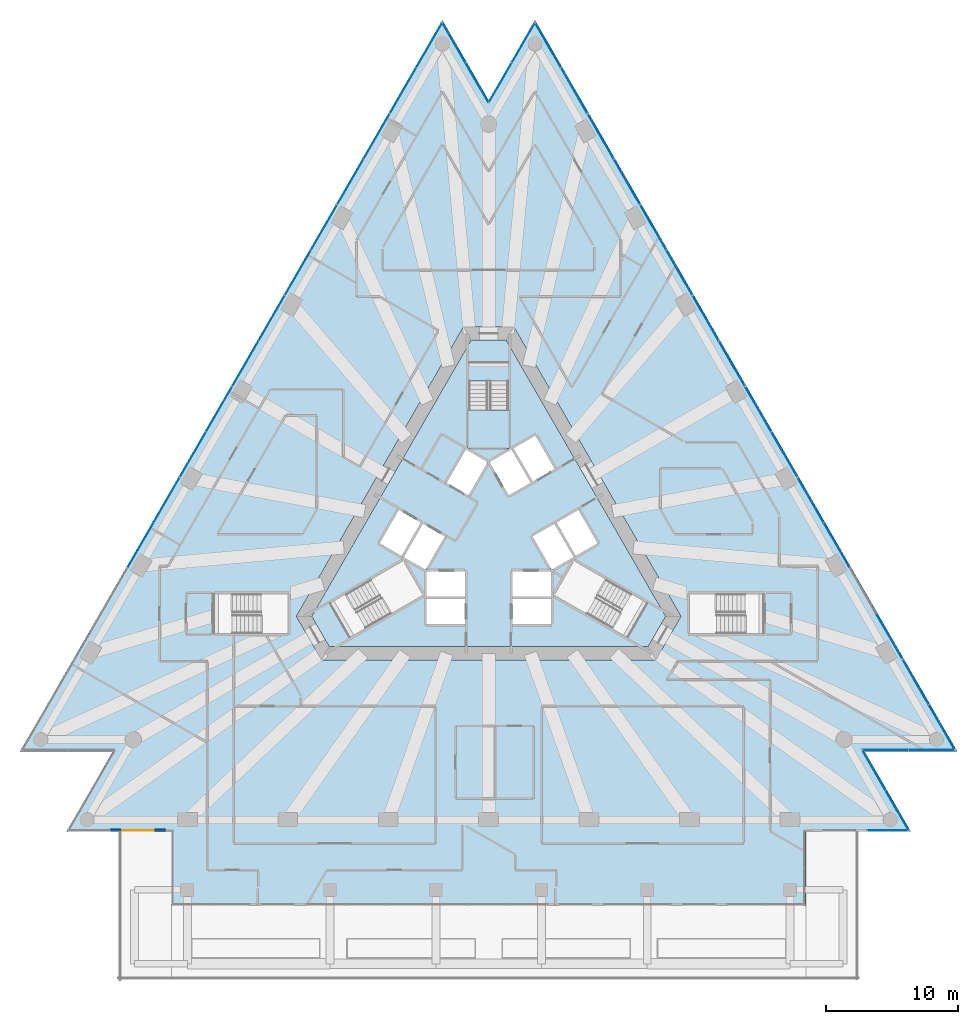
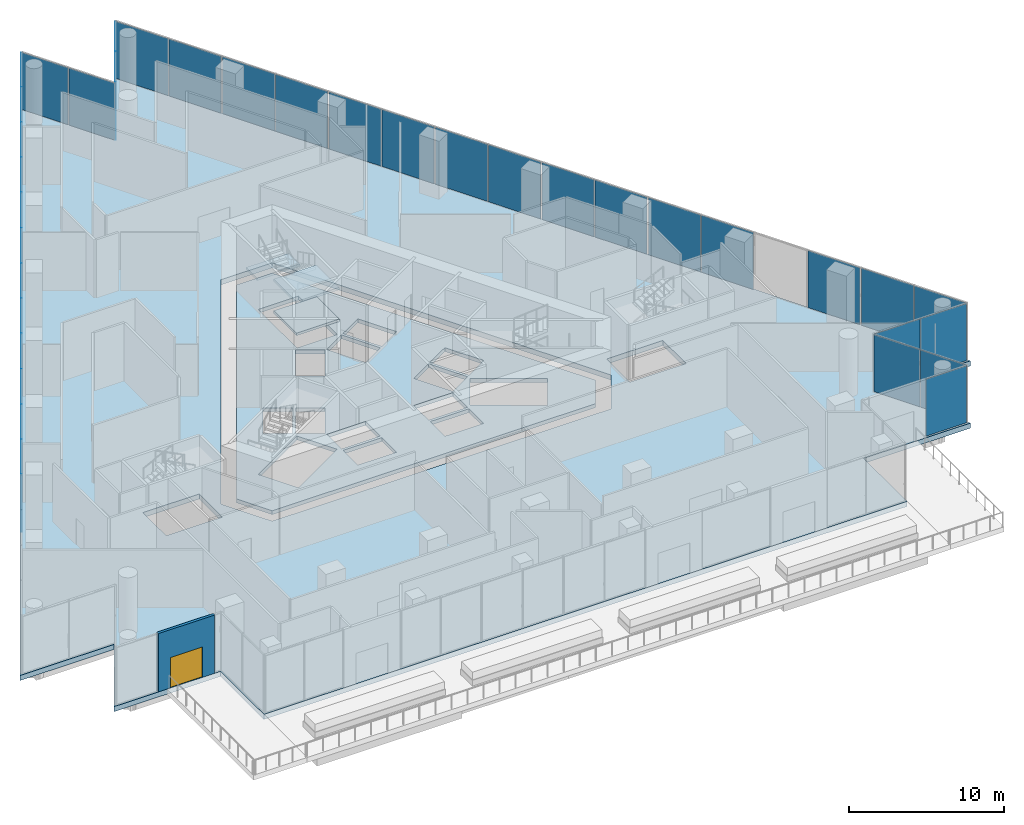
# One storey, part 24 of 32: 36 plates, 5 slabs, 1 door, 1 wall, 1 opening, 20 elements without a shape of their own.
"""IFC4 building model written with IfcOpenShell, lengths in metres."""

from ifc_helpers import new_model, si_unit, direction, frame, frame_2d, origin, origin_2d, place, context, subcontext, project, spatial, polyline, rectangle, outline, extrude, material, layer, layer_set, layer_usage, type_object, element, fill, aggregate, save


model = new_model("IFC4")

# Units and contexts
model_context = context("Model", 3, precision=1e-05, world=origin(), true_north=direction((0.0, 1.0)))
body_context = subcontext(model_context, "Body", "Model", "MODEL_VIEW")
ifc_project = project(units=[si_unit("LENGTHUNIT", "METRE"), si_unit("AREAUNIT", "SQUARE_METRE"), si_unit("VOLUMEUNIT", "CUBIC_METRE"), si_unit("PLANEANGLEUNIT", "RADIAN"), si_unit("MASSUNIT", "GRAM", prefix="KILO")], contexts=[model_context])

# Site, building, storey
site_placement = place(None, origin())
site = spatial("IfcSite", under=ifc_project, at=site_placement, CompositionType="ELEMENT")
building_placement = place(site_placement, origin())
building = spatial("IfcBuilding", under=site, at=building_placement, Name="Triada Interchange Tower", CompositionType="ELEMENT")
storey_placement = place(building_placement, frame((0.0, 0.0, 25.300048828125)))
storey = spatial("IfcBuildingStorey", under=building, at=storey_placement, Name="L04", CompositionType="ELEMENT", Elevation=25.300048828125)

# Slab
ifc_material_1 = material(Name="Concrete C50/60", Category="concrete")
ifc_layer_1 = layer(ifc_material_1, 0.300048828125)
ifc_layer_set_1 = layer_set([ifc_layer_1], Name="Floor slab 300")
slab_type_1 = type_object("IfcSlabType", Name="Floor slab 300", PredefinedType="FLOOR", material=ifc_layer_set_1)
slab_1_placement = place(storey_placement, frame((0.0, 0.0, -0.300048828125)))
element("IfcSlab", 1, at=slab_1_placement, inside=storey, type_object=slab_type_1, Name="Core floor slab L04 1", PredefinedType="FLOOR", context=body_context, shape_type="SweptSolid", body=[
    extrude(outline(polyline([(13.39501953125, -6.199951171875), (12.06689453125, -8.5), (-12.06689453125, -8.5), (-13.39501953125, -6.199951171875), (-1.327880859375, 14.699951171875), (1.327880859375, 14.699951171875), (13.39501953125, -6.199951171875)]), holes=[polyline([(9.2958984375, -7.09912109375), (10.7958984375, -4.5009765625), (6.466064453125, -2.0009765625), (4.966064453125, -4.59912109375), (9.2958984375, -7.09912109375)]), polyline([(6.7890625, 1.841064453125), (5.14404296875, 0.89111328125), (6.593994140625, -1.6201171875), (8.239013671875, -0.669921875), (6.7890625, 1.841064453125)]), polyline([(4.969970703125, 0.791015625), (3.324951171875, -0.158935546875), (4.77490234375, -2.669921875), (6.419921875, -1.719970703125), (4.969970703125, 0.791015625)]), polyline([(1.89404296875, 6.52001953125), (3.343994140625, 4.009033203125), (4.989013671875, 4.958984375), (3.5390625, 7.469970703125), (1.89404296875, 6.52001953125)]), polyline([(1.800048828125, -4.89990234375), (1.800048828125, -6.800048828125), (4.699951171875, -6.800048828125), (4.699951171875, -4.89990234375), (1.800048828125, -4.89990234375)]), polyline([(1.800048828125, -2.800048828125), (1.800048828125, -4.10107421875), (1.800048828125, -4.699951171875), (4.699951171875, -4.699951171875), (4.699951171875, -2.800048828125), (1.800048828125, -2.800048828125)]), polyline([(1.52490234375, 2.958984375), (1.708984375, 3.06494140625), (3.169921875, 3.908935546875), (1.719970703125, 6.419921875), (0.074951171875, 5.469970703125), (1.52490234375, 2.958984375)]), polyline([(1.5, 11.60009765625), (-1.5, 11.60009765625), (-1.5, 6.60009765625), (1.5, 6.60009765625), (1.5, 11.60009765625)]), polyline([(-1.52490234375, 2.958984375), (-0.074951171875, 5.469970703125), (-1.719970703125, 6.419921875), (-3.169921875, 3.908935546875), (-1.52490234375, 2.958984375)]), polyline([(-4.699951171875, -2.800048828125), (-4.699951171875, -4.699951171875), (-1.800048828125, -4.699951171875), (-1.800048828125, -4.10107421875), (-1.800048828125, -2.800048828125), (-4.699951171875, -2.800048828125)]), polyline([(-4.699951171875, -4.89990234375), (-4.699951171875, -6.800048828125), (-1.800048828125, -6.800048828125), (-1.800048828125, -4.89990234375), (-4.699951171875, -4.89990234375)]), polyline([(-3.324951171875, -0.158935546875), (-3.450927734375, -0.0859375), (-4.969970703125, 0.791015625), (-6.419921875, -1.719970703125), (-4.77490234375, -2.669921875), (-3.324951171875, -0.158935546875)]), polyline([(-10.7958984375, -4.5009765625), (-9.2958984375, -7.09912109375), (-4.966064453125, -4.59912109375), (-6.466064453125, -2.0009765625), (-10.7958984375, -4.5009765625)]), polyline([(-6.593994140625, -1.6201171875), (-5.14404296875, 0.89111328125), (-6.7890625, 1.841064453125), (-8.239013671875, -0.669921875), (-6.593994140625, -1.6201171875)])]), origin(), (0.0, 0.0, 1.0), 0.300048828125),
])

# Curtain wall, plate
ifc_material_2 = material(Name="Aluminium framed glazing", Category="aluminium")
ifc_layer_2 = layer(ifc_material_2, 0.199951171875)
ifc_layer_set_2 = layer_set([ifc_layer_2], Name="Curtain wall Winter garden glazing")
curtain_wall_type = type_object("IfcCurtainWallType", Name="Curtain wall Winter garden glazing", PredefinedType="NOTDEFINED", material=ifc_layer_set_2)
curtain_wall_1_placement = place(storey_placement, origin())
curtain_wall_1 = element("IfcCurtainWall", 2, at=curtain_wall_1_placement, inside=storey, type_object=curtain_wall_type, Name="Winter garden glazing CW009 L04", PredefinedType="NOTDEFINED")
ifc_material_3 = material(Name="Insulated glazing unit", Category="glass")
ifc_layer_3 = layer(ifc_material_3, 0.02392578125)
ifc_layer_set_3 = layer_set([ifc_layer_3], Name="Glazing panel Winter garden glazing 24")
plate_type = type_object("IfcPlateType", Name="Glazing panel Winter garden glazing 24", PredefinedType="CURTAIN_PANEL", material=ifc_layer_set_3)
plate_1_placement = place(storey_placement, frame((30.21240234375, -22.39990234375, 0.050048828125), z_axis=(0.0, 0.0, 1.0), x_axis=(1.0, 0.0, 0.0)))
plate_1 = element("IfcPlate", 3, at=plate_1_placement, type_object=plate_type, Name="CW009 panel 1.1", PredefinedType="CURTAIN_PANEL", context=body_context, shape_type="SweptSolid", body=[
    extrude(rectangle(XDim=3.041015625, YDim=0.02392578125, at=origin_2d()), origin(), (0.0, 0.0, 1.0), 4.5),
])
aggregate(curtain_wall_1, [plate_1])

# Curtain wall, plates
curtain_wall_2_placement = place(storey_placement, origin())
curtain_wall_2 = element("IfcCurtainWall", 4, at=curtain_wall_2_placement, inside=storey, type_object=curtain_wall_type, Name="Winter garden glazing CW010 L04", PredefinedType="NOTDEFINED")
plate_2_placement = place(storey_placement, frame((30.89990234375, -20.870361328125, 0.050048828125), z_axis=(0.0, 0.0, 1.0), x_axis=(-0.499956922962, 0.866050272896, 0.0)))
plate_2 = element("IfcPlate", 5, at=plate_2_placement, type_object=plate_type, Name="CW010 panel 1.1", PredefinedType="CURTAIN_PANEL", context=body_context, shape_type="SweptSolid", body=[
    extrude(rectangle(XDim=3.432373046875, YDim=0.02392578125, at=origin_2d()), origin(), (0.0, 0.0, 1.0), 4.5),
])
plate_3_placement = place(storey_placement, frame((29.158935546875, -17.8544921875, 0.050048828125), z_axis=(0.0, 0.0, 1.0), x_axis=(-0.499956922962, 0.866050272896, 0.0)))
plate_3 = element("IfcPlate", 6, at=plate_3_placement, type_object=plate_type, Name="CW010 panel 2.1", PredefinedType="CURTAIN_PANEL", context=body_context, shape_type="SweptSolid", body=[
    extrude(rectangle(XDim=3.432373046875, YDim=0.02392578125, at=origin_2d()), origin(), (0.0, 0.0, 1.0), 4.5),
])
aggregate(curtain_wall_2, [plate_2, plate_3])

curtain_wall_3_placement = place(storey_placement, origin())
curtain_wall_3 = element("IfcCurtainWall", 7, at=curtain_wall_3_placement, inside=storey, type_object=curtain_wall_type, Name="Winter garden glazing CW011 L04", PredefinedType="NOTDEFINED")
plate_4_placement = place(storey_placement, frame((30.042236328125, -16.324951171875, 0.050048828125), z_axis=(0.0, 0.0, 1.0), x_axis=(1.0, 0.0, 0.0)))
plate_4 = element("IfcPlate", 8, at=plate_4_placement, type_object=plate_type, Name="CW011 panel 1.1", PredefinedType="CURTAIN_PANEL", context=body_context, shape_type="SweptSolid", body=[
    extrude(rectangle(XDim=3.4326171875, YDim=0.02392578125, at=origin_2d()), origin(), (0.0, 0.0, 1.0), 4.5),
])
plate_5_placement = place(storey_placement, frame((33.524658203125, -16.324951171875, 0.050048828125), z_axis=(0.0, 0.0, 1.0), x_axis=(1.0, 0.0, 0.0)))
plate_5 = element("IfcPlate", 9, at=plate_5_placement, type_object=plate_type, Name="CW011 panel 2.1", PredefinedType="CURTAIN_PANEL", context=body_context, shape_type="SweptSolid", body=[
    extrude(rectangle(XDim=3.4326171875, YDim=0.02392578125, at=origin_2d()), origin(), (0.0, 0.0, 1.0), 4.5),
])
aggregate(curtain_wall_3, [plate_4, plate_5])

curtain_wall_4_placement = place(storey_placement, origin())
curtain_wall_4 = element("IfcCurtainWall", 10, at=curtain_wall_4_placement, inside=storey, type_object=curtain_wall_type, Name="Winter garden glazing CW012 L04", PredefinedType="NOTDEFINED")
plate_6_placement = place(storey_placement, frame((34.292236328125, -14.594970703125, 0.050048828125), z_axis=(0.0, 0.0, 1.0), x_axis=(-0.499958648825, 0.86604927658, 0.0)))
plate_6 = element("IfcPlate", 11, at=plate_6_placement, type_object=plate_type, Name="CW012 panel 1.1", PredefinedType="CURTAIN_PANEL", context=body_context, shape_type="SweptSolid", body=[
    extrude(rectangle(XDim=3.895263671875, YDim=0.02392578125, at=origin_2d()), origin(), (0.0, 0.0, 1.0), 4.5),
])
plate_7_placement = place(storey_placement, frame((32.31982421875, -11.177978515625, 0.050048828125), z_axis=(0.0, 0.0, 1.0), x_axis=(-0.499958648825, 0.86604927658, 0.0)))
plate_7 = element("IfcPlate", 12, at=plate_7_placement, type_object=plate_type, Name="CW012 panel 2.1", PredefinedType="CURTAIN_PANEL", context=body_context, shape_type="SweptSolid", body=[
    extrude(rectangle(XDim=3.895263671875, YDim=0.02392578125, at=origin_2d()), origin(), (0.0, 0.0, 1.0), 4.5),
])
aggregate(curtain_wall_4, [plate_6, plate_7])

# Curtain wall, plate
curtain_wall_5_placement = place(storey_placement, origin())
curtain_wall_5 = element("IfcCurtainWall", 13, at=curtain_wall_5_placement, inside=storey, type_object=curtain_wall_type, Name="Winter garden glazing CW013 L04", PredefinedType="NOTDEFINED")
plate_8_placement = place(storey_placement, frame((30.31689453125, -7.710205078125, 0.050048828125), z_axis=(0.0, 0.0, 1.0), x_axis=(-0.499947913852, 0.866055473648, 0.0)))
plate_8 = element("IfcPlate", 14, at=plate_8_placement, type_object=plate_type, Name="CW013 panel 1.1", PredefinedType="CURTAIN_PANEL", context=body_context, shape_type="SweptSolid", body=[
    extrude(rectangle(XDim=3.892333984375, YDim=0.02392578125, at=origin_2d()), origin(), (0.0, 0.0, 1.0), 4.5),
])
aggregate(curtain_wall_5, [plate_8])

# Curtain wall, plates
curtain_wall_6_placement = place(storey_placement, origin())
curtain_wall_6 = element("IfcCurtainWall", 15, at=curtain_wall_6_placement, inside=storey, type_object=curtain_wall_type, Name="Winter garden glazing CW014 L04", PredefinedType="NOTDEFINED")
plate_9_placement = place(storey_placement, frame((26.343994140625, -0.8291015625, 0.050048828125), z_axis=(0.0, 0.0, 1.0), x_axis=(-0.499947913852, 0.866055473648, 0.0)))
plate_9 = element("IfcPlate", 16, at=plate_9_placement, type_object=plate_type, Name="CW014 panel 1.1", PredefinedType="CURTAIN_PANEL", context=body_context, shape_type="SweptSolid", body=[
    extrude(rectangle(XDim=3.892333984375, YDim=0.02392578125, at=origin_2d()), origin(), (0.0, 0.0, 1.0), 4.5),
])
plate_10_placement = place(storey_placement, frame((24.373046875, 2.585205078125, 0.050048828125), z_axis=(0.0, 0.0, 1.0), x_axis=(-0.499947913852, 0.866055473648, 0.0)))
plate_10 = element("IfcPlate", 17, at=plate_10_placement, type_object=plate_type, Name="CW014 panel 2.1", PredefinedType="CURTAIN_PANEL", context=body_context, shape_type="SweptSolid", body=[
    extrude(rectangle(XDim=3.892333984375, YDim=0.02392578125, at=origin_2d()), origin(), (0.0, 0.0, 1.0), 4.5),
])
aggregate(curtain_wall_6, [plate_9, plate_10])

curtain_wall_7_placement = place(storey_placement, origin())
curtain_wall_7 = element("IfcCurtainWall", 18, at=curtain_wall_7_placement, inside=storey, type_object=curtain_wall_type, Name="Winter garden glazing CW015 L04", PredefinedType="NOTDEFINED")
plate_11_placement = place(storey_placement, frame((22.37109375, 6.052001953125, 0.050048828125), z_axis=(0.0, 0.0, 1.0), x_axis=(-0.499893351442, 0.866086968603, 0.0)))
plate_11 = element("IfcPlate", 19, at=plate_11_placement, type_object=plate_type, Name="CW015 panel 1.1", PredefinedType="CURTAIN_PANEL", context=body_context, shape_type="SweptSolid", body=[
    extrude(rectangle(XDim=3.892822265625, YDim=0.02392578125, at=origin_2d()), origin(), (0.0, 0.0, 1.0), 4.5),
])
plate_12_placement = place(storey_placement, frame((20.39990234375, 9.467041015625, 0.050048828125), z_axis=(0.0, 0.0, 1.0), x_axis=(-0.499893351442, 0.866086968603, 0.0)))
plate_12 = element("IfcPlate", 20, at=plate_12_placement, type_object=plate_type, Name="CW015 panel 2.1", PredefinedType="CURTAIN_PANEL", context=body_context, shape_type="SweptSolid", body=[
    extrude(rectangle(XDim=3.892822265625, YDim=0.02392578125, at=origin_2d()), origin(), (0.0, 0.0, 1.0), 4.5),
])
aggregate(curtain_wall_7, [plate_11, plate_12])

curtain_wall_8_placement = place(storey_placement, origin())
curtain_wall_8 = element("IfcCurtainWall", 21, at=curtain_wall_8_placement, inside=storey, type_object=curtain_wall_type, Name="Winter garden glazing CW016 L04", PredefinedType="NOTDEFINED")
plate_13_placement = place(storey_placement, frame((18.39794921875, 12.93310546875, 0.050048828125), z_axis=(0.0, 0.0, 1.0), x_axis=(-0.499893351442, 0.866086968603, 0.0)))
plate_13 = element("IfcPlate", 22, at=plate_13_placement, type_object=plate_type, Name="CW016 panel 1.1", PredefinedType="CURTAIN_PANEL", context=body_context, shape_type="SweptSolid", body=[
    extrude(rectangle(XDim=3.892822265625, YDim=0.02392578125, at=origin_2d()), origin(), (0.0, 0.0, 1.0), 4.5),
])
plate_14_placement = place(storey_placement, frame((16.427001953125, 16.347900390625, 0.050048828125), z_axis=(0.0, 0.0, 1.0), x_axis=(-0.499893351442, 0.866086968603, 0.0)))
plate_14 = element("IfcPlate", 23, at=plate_14_placement, type_object=plate_type, Name="CW016 panel 2.1", PredefinedType="CURTAIN_PANEL", context=body_context, shape_type="SweptSolid", body=[
    extrude(rectangle(XDim=3.892822265625, YDim=0.02392578125, at=origin_2d()), origin(), (0.0, 0.0, 1.0), 4.5),
])
aggregate(curtain_wall_8, [plate_13, plate_14])

curtain_wall_9_placement = place(storey_placement, origin())
curtain_wall_9 = element("IfcCurtainWall", 24, at=curtain_wall_9_placement, inside=storey, type_object=curtain_wall_type, Name="Winter garden glazing CW017 L04", PredefinedType="NOTDEFINED")
plate_15_placement = place(storey_placement, frame((14.425048828125, 19.81494140625, 0.050048828125), z_axis=(0.0, 0.0, 1.0), x_axis=(-0.499947913852, 0.866055473648, 0.0)))
plate_15 = element("IfcPlate", 25, at=plate_15_placement, type_object=plate_type, Name="CW017 panel 1.1", PredefinedType="CURTAIN_PANEL", context=body_context, shape_type="SweptSolid", body=[
    extrude(rectangle(XDim=3.892333984375, YDim=0.02392578125, at=origin_2d()), origin(), (0.0, 0.0, 1.0), 4.5),
])
plate_16_placement = place(storey_placement, frame((12.4541015625, 23.229248046875, 0.050048828125), z_axis=(0.0, 0.0, 1.0), x_axis=(-0.499947913852, 0.866055473648, 0.0)))
plate_16 = element("IfcPlate", 26, at=plate_16_placement, type_object=plate_type, Name="CW017 panel 2.1", PredefinedType="CURTAIN_PANEL", context=body_context, shape_type="SweptSolid", body=[
    extrude(rectangle(XDim=3.892333984375, YDim=0.02392578125, at=origin_2d()), origin(), (0.0, 0.0, 1.0), 4.5),
])
aggregate(curtain_wall_9, [plate_15, plate_16])

curtain_wall_10_placement = place(storey_placement, origin())
curtain_wall_10 = element("IfcCurtainWall", 27, at=curtain_wall_10_placement, inside=storey, type_object=curtain_wall_type, Name="Winter garden glazing CW018 L04", PredefinedType="NOTDEFINED")
plate_17_placement = place(storey_placement, frame((10.451904296875, 26.69580078125, 0.050048828125), z_axis=(0.0, 0.0, 1.0), x_axis=(-0.499947913852, 0.866055473648, 0.0)))
plate_17 = element("IfcPlate", 28, at=plate_17_placement, type_object=plate_type, Name="CW018 panel 1.1", PredefinedType="CURTAIN_PANEL", context=body_context, shape_type="SweptSolid", body=[
    extrude(rectangle(XDim=3.892333984375, YDim=0.02392578125, at=origin_2d()), origin(), (0.0, 0.0, 1.0), 4.5),
])
plate_18_placement = place(storey_placement, frame((8.48095703125, 30.110107421875, 0.050048828125), z_axis=(0.0, 0.0, 1.0), x_axis=(-0.499947913852, 0.866055473648, 0.0)))
plate_18 = element("IfcPlate", 29, at=plate_18_placement, type_object=plate_type, Name="CW018 panel 2.1", PredefinedType="CURTAIN_PANEL", context=body_context, shape_type="SweptSolid", body=[
    extrude(rectangle(XDim=3.892333984375, YDim=0.02392578125, at=origin_2d()), origin(), (0.0, 0.0, 1.0), 4.5),
])
aggregate(curtain_wall_10, [plate_17, plate_18])

curtain_wall_11_placement = place(storey_placement, origin())
curtain_wall_11 = element("IfcCurtainWall", 30, at=curtain_wall_11_placement, inside=storey, type_object=curtain_wall_type, Name="Winter garden glazing CW019 L04", PredefinedType="NOTDEFINED")
plate_19_placement = place(storey_placement, frame((6.478271484375, 33.578125, 0.050048828125), z_axis=(0.0, 0.0, 1.0), x_axis=(-0.499958648825, 0.86604927658, 0.0)))
plate_19 = element("IfcPlate", 31, at=plate_19_placement, type_object=plate_type, Name="CW019 panel 1.1", PredefinedType="CURTAIN_PANEL", context=body_context, shape_type="SweptSolid", body=[
    extrude(rectangle(XDim=3.895263671875, YDim=0.02392578125, at=origin_2d()), origin(), (0.0, 0.0, 1.0), 4.5),
])
plate_20_placement = place(storey_placement, frame((4.505859375, 36.994873046875, 0.050048828125), z_axis=(0.0, 0.0, 1.0), x_axis=(-0.499958648825, 0.86604927658, 0.0)))
plate_20 = element("IfcPlate", 32, at=plate_20_placement, type_object=plate_type, Name="CW019 panel 2.1", PredefinedType="CURTAIN_PANEL", context=body_context, shape_type="SweptSolid", body=[
    extrude(rectangle(XDim=3.895263671875, YDim=0.02392578125, at=origin_2d()), origin(), (0.0, 0.0, 1.0), 4.5),
])
aggregate(curtain_wall_11, [plate_19, plate_20])

curtain_wall_12_placement = place(storey_placement, origin())
curtain_wall_12 = element("IfcCurtainWall", 33, at=curtain_wall_12_placement, inside=storey, type_object=curtain_wall_type, Name="Winter garden glazing CW020 L04", PredefinedType="NOTDEFINED")
plate_21_placement = place(storey_placement, frame((2.6240234375, 37.1953125, 0.050048828125), z_axis=(0.0, 0.0, 1.0), x_axis=(-0.499956922962, -0.866050272896, 0.0)))
plate_21 = element("IfcPlate", 34, at=plate_21_placement, type_object=plate_type, Name="CW020 panel 1.1", PredefinedType="CURTAIN_PANEL", context=body_context, shape_type="SweptSolid", body=[
    extrude(rectangle(XDim=3.432373046875, YDim=0.02392578125, at=origin_2d()), origin(), (0.0, 0.0, 1.0), 4.5),
])
plate_22_placement = place(storey_placement, frame((0.883056640625, 34.1796875, 0.050048828125), z_axis=(0.0, 0.0, 1.0), x_axis=(-0.499956922962, -0.866050272896, 0.0)))
plate_22 = element("IfcPlate", 35, at=plate_22_placement, type_object=plate_type, Name="CW020 panel 2.1", PredefinedType="CURTAIN_PANEL", context=body_context, shape_type="SweptSolid", body=[
    extrude(rectangle(XDim=3.432373046875, YDim=0.02392578125, at=origin_2d()), origin(), (0.0, 0.0, 1.0), 4.5),
])
aggregate(curtain_wall_12, [plate_21, plate_22])

curtain_wall_13_placement = place(storey_placement, origin())
curtain_wall_13 = element("IfcCurtainWall", 36, at=curtain_wall_13_placement, inside=storey, type_object=curtain_wall_type, Name="Winter garden glazing CW021 L04", PredefinedType="NOTDEFINED")
plate_23_placement = place(storey_placement, frame((-0.883056640625, 34.1796875, 0.050048828125), z_axis=(0.0, 0.0, 1.0), x_axis=(-0.499956922962, 0.866050272896, 0.0)))
plate_23 = element("IfcPlate", 37, at=plate_23_placement, type_object=plate_type, Name="CW021 panel 1.1", PredefinedType="CURTAIN_PANEL", context=body_context, shape_type="SweptSolid", body=[
    extrude(rectangle(XDim=3.432373046875, YDim=0.02392578125, at=origin_2d()), origin(), (0.0, 0.0, 1.0), 4.5),
])
plate_24_placement = place(storey_placement, frame((-2.6240234375, 37.1953125, 0.050048828125), z_axis=(0.0, 0.0, 1.0), x_axis=(-0.499956922962, 0.866050272896, 0.0)))
plate_24 = element("IfcPlate", 38, at=plate_24_placement, type_object=plate_type, Name="CW021 panel 2.1", PredefinedType="CURTAIN_PANEL", context=body_context, shape_type="SweptSolid", body=[
    extrude(rectangle(XDim=3.432373046875, YDim=0.02392578125, at=origin_2d()), origin(), (0.0, 0.0, 1.0), 4.5),
])
aggregate(curtain_wall_13, [plate_23, plate_24])

curtain_wall_14_placement = place(storey_placement, origin())
curtain_wall_14 = element("IfcCurtainWall", 39, at=curtain_wall_14_placement, inside=storey, type_object=curtain_wall_type, Name="Winter garden glazing CW022 L04", PredefinedType="NOTDEFINED")
plate_25_placement = place(storey_placement, frame((-4.505859375, 36.994873046875, 0.050048828125), z_axis=(0.0, 0.0, 1.0), x_axis=(-0.499958648825, -0.86604927658, 0.0)))
plate_25 = element("IfcPlate", 40, at=plate_25_placement, type_object=plate_type, Name="CW022 panel 1.1", PredefinedType="CURTAIN_PANEL", context=body_context, shape_type="SweptSolid", body=[
    extrude(rectangle(XDim=3.895263671875, YDim=0.02392578125, at=origin_2d()), origin(), (0.0, 0.0, 1.0), 4.5),
])
plate_26_placement = place(storey_placement, frame((-6.478271484375, 33.578125, 0.050048828125), z_axis=(0.0, 0.0, 1.0), x_axis=(-0.499958648825, -0.86604927658, 0.0)))
plate_26 = element("IfcPlate", 41, at=plate_26_placement, type_object=plate_type, Name="CW022 panel 2.1", PredefinedType="CURTAIN_PANEL", context=body_context, shape_type="SweptSolid", body=[
    extrude(rectangle(XDim=3.895263671875, YDim=0.02392578125, at=origin_2d()), origin(), (0.0, 0.0, 1.0), 4.5),
])
aggregate(curtain_wall_14, [plate_25, plate_26])

curtain_wall_15_placement = place(storey_placement, origin())
curtain_wall_15 = element("IfcCurtainWall", 42, at=curtain_wall_15_placement, inside=storey, type_object=curtain_wall_type, Name="Winter garden glazing CW023 L04", PredefinedType="NOTDEFINED")
plate_27_placement = place(storey_placement, frame((-8.48095703125, 30.110107421875, 0.050048828125), z_axis=(0.0, 0.0, 1.0), x_axis=(-0.499947913852, -0.866055473648, 0.0)))
plate_27 = element("IfcPlate", 43, at=plate_27_placement, type_object=plate_type, Name="CW023 panel 1.1", PredefinedType="CURTAIN_PANEL", context=body_context, shape_type="SweptSolid", body=[
    extrude(rectangle(XDim=3.892333984375, YDim=0.02392578125, at=origin_2d()), origin(), (0.0, 0.0, 1.0), 4.5),
])
plate_28_placement = place(storey_placement, frame((-10.451904296875, 26.69580078125, 0.050048828125), z_axis=(0.0, 0.0, 1.0), x_axis=(-0.499947913852, -0.866055473648, 0.0)))
plate_28 = element("IfcPlate", 44, at=plate_28_placement, type_object=plate_type, Name="CW023 panel 2.1", PredefinedType="CURTAIN_PANEL", context=body_context, shape_type="SweptSolid", body=[
    extrude(rectangle(XDim=3.892333984375, YDim=0.02392578125, at=origin_2d()), origin(), (0.0, 0.0, 1.0), 4.5),
])
aggregate(curtain_wall_15, [plate_27, plate_28])

curtain_wall_16_placement = place(storey_placement, origin())
curtain_wall_16 = element("IfcCurtainWall", 45, at=curtain_wall_16_placement, inside=storey, type_object=curtain_wall_type, Name="Winter garden glazing CW024 L04", PredefinedType="NOTDEFINED")
plate_29_placement = place(storey_placement, frame((-12.4541015625, 23.229248046875, 0.050048828125), z_axis=(0.0, 0.0, 1.0), x_axis=(-0.499947913852, -0.866055473648, 0.0)))
plate_29 = element("IfcPlate", 46, at=plate_29_placement, type_object=plate_type, Name="CW024 panel 1.1", PredefinedType="CURTAIN_PANEL", context=body_context, shape_type="SweptSolid", body=[
    extrude(rectangle(XDim=3.892333984375, YDim=0.02392578125, at=origin_2d()), origin(), (0.0, 0.0, 1.0), 4.5),
])
plate_30_placement = place(storey_placement, frame((-14.425048828125, 19.81494140625, 0.050048828125), z_axis=(0.0, 0.0, 1.0), x_axis=(-0.499947913852, -0.866055473648, 0.0)))
plate_30 = element("IfcPlate", 47, at=plate_30_placement, type_object=plate_type, Name="CW024 panel 2.1", PredefinedType="CURTAIN_PANEL", context=body_context, shape_type="SweptSolid", body=[
    extrude(rectangle(XDim=3.892333984375, YDim=0.02392578125, at=origin_2d()), origin(), (0.0, 0.0, 1.0), 4.5),
])
aggregate(curtain_wall_16, [plate_29, plate_30])

curtain_wall_17_placement = place(storey_placement, origin())
curtain_wall_17 = element("IfcCurtainWall", 48, at=curtain_wall_17_placement, inside=storey, type_object=curtain_wall_type, Name="Winter garden glazing CW025 L04", PredefinedType="NOTDEFINED")
plate_31_placement = place(storey_placement, frame((-16.427001953125, 16.347900390625, 0.050048828125), z_axis=(0.0, 0.0, 1.0), x_axis=(-0.499893351442, -0.866086968603, 0.0)))
plate_31 = element("IfcPlate", 49, at=plate_31_placement, type_object=plate_type, Name="CW025 panel 1.1", PredefinedType="CURTAIN_PANEL", context=body_context, shape_type="SweptSolid", body=[
    extrude(rectangle(XDim=3.892822265625, YDim=0.02392578125, at=origin_2d()), origin(), (0.0, 0.0, 1.0), 4.5),
])
plate_32_placement = place(storey_placement, frame((-18.39794921875, 12.93310546875, 0.050048828125), z_axis=(0.0, 0.0, 1.0), x_axis=(-0.499893351442, -0.866086968603, 0.0)))
plate_32 = element("IfcPlate", 50, at=plate_32_placement, type_object=plate_type, Name="CW025 panel 2.1", PredefinedType="CURTAIN_PANEL", context=body_context, shape_type="SweptSolid", body=[
    extrude(rectangle(XDim=3.892822265625, YDim=0.02392578125, at=origin_2d()), origin(), (0.0, 0.0, 1.0), 4.5),
])
aggregate(curtain_wall_17, [plate_31, plate_32])

curtain_wall_18_placement = place(storey_placement, origin())
curtain_wall_18 = element("IfcCurtainWall", 51, at=curtain_wall_18_placement, inside=storey, type_object=curtain_wall_type, Name="Winter garden glazing CW026 L04", PredefinedType="NOTDEFINED")
plate_33_placement = place(storey_placement, frame((-20.39990234375, 9.467041015625, 0.050048828125), z_axis=(0.0, 0.0, 1.0), x_axis=(-0.499893351442, -0.866086968603, 0.0)))
plate_33 = element("IfcPlate", 52, at=plate_33_placement, type_object=plate_type, Name="CW026 panel 1.1", PredefinedType="CURTAIN_PANEL", context=body_context, shape_type="SweptSolid", body=[
    extrude(rectangle(XDim=3.892822265625, YDim=0.02392578125, at=origin_2d()), origin(), (0.0, 0.0, 1.0), 4.5),
])
plate_34_placement = place(storey_placement, frame((-22.37109375, 6.052001953125, 0.050048828125), z_axis=(0.0, 0.0, 1.0), x_axis=(-0.499893351442, -0.866086968603, 0.0)))
plate_34 = element("IfcPlate", 53, at=plate_34_placement, type_object=plate_type, Name="CW026 panel 2.1", PredefinedType="CURTAIN_PANEL", context=body_context, shape_type="SweptSolid", body=[
    extrude(rectangle(XDim=3.892822265625, YDim=0.02392578125, at=origin_2d()), origin(), (0.0, 0.0, 1.0), 4.5),
])
aggregate(curtain_wall_18, [plate_33, plate_34])

curtain_wall_19_placement = place(storey_placement, origin())
curtain_wall_19 = element("IfcCurtainWall", 54, at=curtain_wall_19_placement, inside=storey, type_object=curtain_wall_type, Name="Winter garden glazing CW027 L04", PredefinedType="NOTDEFINED")
plate_35_placement = place(storey_placement, frame((-24.373046875, 2.585205078125, 0.050048828125), z_axis=(0.0, 0.0, 1.0), x_axis=(-0.499947913852, -0.866055473648, 0.0)))
plate_35 = element("IfcPlate", 55, at=plate_35_placement, type_object=plate_type, Name="CW027 panel 1.1", PredefinedType="CURTAIN_PANEL", context=body_context, shape_type="SweptSolid", body=[
    extrude(rectangle(XDim=3.892333984375, YDim=0.02392578125, at=origin_2d()), origin(), (0.0, 0.0, 1.0), 4.5),
])
plate_36_placement = place(storey_placement, frame((-26.343994140625, -0.8291015625, 0.050048828125), z_axis=(0.0, 0.0, 1.0), x_axis=(-0.499947913852, -0.866055473648, 0.0)))
plate_36 = element("IfcPlate", 56, at=plate_36_placement, type_object=plate_type, Name="CW027 panel 2.1", PredefinedType="CURTAIN_PANEL", context=body_context, shape_type="SweptSolid", body=[
    extrude(rectangle(XDim=3.892333984375, YDim=0.02392578125, at=origin_2d()), origin(), (0.0, 0.0, 1.0), 4.5),
])
aggregate(curtain_wall_19, [plate_35, plate_36])

# Slab
ifc_material_4 = material(Name="Concrete C40/50", Category="concrete")
ifc_layer_4 = layer(ifc_material_4, 0.39990234375)
ifc_layer_set_4 = layer_set([ifc_layer_4], Name="Podium slab 400")
slab_type_2 = type_object("IfcSlabType", Name="Podium slab 400", PredefinedType="FLOOR", material=ifc_layer_set_4)
slab_2_placement = place(storey_placement, frame((0.0, 0.0, -0.400146484375)))
element("IfcSlab", 57, at=slab_2_placement, inside=storey, type_object=slab_type_2, Name="Floor slab L04", PredefinedType="FLOOR", context=body_context, shape_type="SweptSolid", body=[
    extrude(outline(polyline([(-24.0, -28.10009765625), (24.0, -28.10009765625), (24.0, -22.5), (31.9560546875, -22.5), (28.448974609375, -16.425048828125), (35.464111328125, -16.425048828125), (3.507080078125, 38.925048828125), (0.0, 32.85009765625), (-3.507080078125, 38.925048828125), (-35.464111328125, -16.425048828125), (-28.448974609375, -16.425048828125), (-31.9560546875, -22.5), (-24.0, -22.5), (-24.0, -28.10009765625)]), holes=[polyline([(-15.199951171875, -7.5), (-19.39990234375, -7.5), (-19.39990234375, -4.5), (-15.199951171875, -4.5), (-15.199951171875, -7.5)]), polyline([(19.39990234375, -4.5), (19.39990234375, -7.5), (15.199951171875, -7.5), (15.199951171875, -4.5), (19.39990234375, -4.5)]), polyline([(12.64404296875, -9.5), (-12.64404296875, -9.5), (-14.549072265625, -6.199951171875), (-1.905029296875, 15.699951171875), (1.905029296875, 15.699951171875), (14.549072265625, -6.199951171875), (12.64404296875, -9.5)])]), origin(), (0.0, 0.0, 1.0), 0.400146484375),
])

# Stair, slabs
ifc_material_5 = material(Name="Concrete C35/45", Category="concrete")
stair_type = type_object("IfcStairType", Name="HALF TURN STAIR 1400", PredefinedType="HALF_TURN_STAIR", material=ifc_material_5)
stair_placement = place(storey_placement, origin())
stair = element("IfcStair", 58, at=stair_placement, inside=storey, type_object=stair_type, Name="Exit stair S04-1", PredefinedType="HALF_TURN_STAIR")
ifc_layer_5 = layer(ifc_material_5, 0.199951171875)
ifc_layer_set_5 = layer_set([ifc_layer_5], Name="STAIR LANDING 200")
slab_type_3 = type_object("IfcSlabType", Name="STAIR LANDING 200", PredefinedType="LANDING", material=ifc_layer_set_5)
slab_3_placement = place(storey_placement, frame((0.0, 0.0, 1.050048828125)))
slab_3 = element("IfcSlab", 59, at=slab_3_placement, type_object=slab_type_3, Name="S04-1 landing 1", PredefinedType="LANDING", context=body_context, shape_type="SweptSolid", body=[
    extrude(outline(polyline([(1.60009765625, 6.5), (1.60009765625, 9.429931640625), (-1.60009765625, 9.429931640625), (-1.60009765625, 6.5), (1.60009765625, 6.5)])), origin(), (0.0, 0.0, 1.0), 0.199951171875),
])
slab_4_placement = place(storey_placement, frame((0.0, 0.0, 3.550048828125)))
slab_4 = element("IfcSlab", 60, at=slab_4_placement, type_object=slab_type_3, Name="S04-1 landing 2", PredefinedType="LANDING", context=body_context, shape_type="SweptSolid", body=[
    extrude(outline(polyline([(1.60009765625, 6.5), (1.60009765625, 9.429931640625), (-1.60009765625, 9.429931640625), (-1.60009765625, 6.5), (1.60009765625, 6.5)])), origin(), (0.0, 0.0, 1.0), 0.199951171875),
])
slab_5_placement = place(storey_placement, frame((0.0, 0.0, 2.300048828125)))
slab_5 = element("IfcSlab", 61, at=slab_5_placement, type_object=slab_type_3, Name="S04-1 landing 3", PredefinedType="LANDING", context=body_context, shape_type="SweptSolid", body=[
    extrude(outline(polyline([(1.60009765625, 11.60009765625), (1.60009765625, 13.0), (-1.60009765625, 13.0), (-1.60009765625, 11.60009765625), (1.60009765625, 11.60009765625)])), origin(), (0.0, 0.0, 1.0), 0.199951171875),
])
aggregate(stair, [slab_3, slab_4, slab_5])

# Wall, opening, door
ifc_material_6 = material(Name="Cement board")
ifc_layer_6 = layer(ifc_material_6, 0.02001953125, Name="Cement board cladding")
ifc_material_7 = material(Name="Sheathing board")
ifc_layer_7 = layer(ifc_material_7, 0.014892578125, Name="Sheathing board")
ifc_material_8 = material(Name="Mineral wool")
ifc_layer_8 = layer(ifc_material_8, 0.14990234375, Name="Mineral wool between steel studs")
ifc_material_9 = material(Name="Gypsum board")
ifc_layer_9 = layer(ifc_material_9, 0.014892578125, Name="Plasterboard lining")
ifc_layer_set_6 = layer_set([ifc_layer_6, ifc_layer_7, ifc_layer_8, ifc_layer_9], Name="External wall 200")
ifc_layer_usage = layer_usage(ifc_layer_set_6, "AXIS2", "POSITIVE", -0.10009765625)
wall_type = type_object("IfcWallType", Name="External wall 200", PredefinedType="ELEMENTEDWALL", material=ifc_layer_set_6)
wall_placement = place(storey_placement, frame((-28.64111328125, -22.39990234375, 0.0), z_axis=(0.0, 0.0, 1.0), x_axis=(1.0, 0.0, 0.0)))
wall = element("IfcWall", 62, at=wall_placement, inside=storey, type_object=wall_type, material=ifc_layer_usage, Name="External wall L04 11.1", PredefinedType="ELEMENTEDWALL", context=body_context, shape_type="SweptSolid", body=[
    extrude(rectangle(XDim=4.2001953125, YDim=0.199951171875, at=frame_2d((2.10009765625, 0.0))), origin(), (0.0, 0.0, 1.0), 4.599853515625),
])
opening_placement = place(wall_placement, frame((0.89990234375, 0.0, 0.0)))
opening = element("IfcOpeningElement", 63, at=opening_placement, cuts=wall, Name="Opening DX54", PredefinedType="OPENING", context=body_context, shape_type="SweptSolid", body=[
    extrude(rectangle(XDim=2.39990234375, YDim=2.39990234375, at=frame_2d((1.199951171875, 1.199951171875))), frame((0.0, 0.10986328125, 0.0), z_axis=(0.0, -1.0, 0.0), x_axis=(1.0, 0.0, 0.0)), (0.0, 0.0, 1.0), 0.219970703125),
])
ifc_material_10 = material(Name="Aluminium and glass", Category="aluminium")
door_type = type_object("IfcDoorType", Name="Terrace door double", OperationType="DOUBLE_DOOR_SINGLE_SWING", PredefinedType="DOOR", material=ifc_material_10)
door_placement = place(opening_placement, frame((2.39990234375, 0.0, 0.0), z_axis=(0.0, 0.0, 1.0), x_axis=(-1.0, 0.0, 0.0)))
door = element("IfcDoor", 64, at=door_placement, inside=storey, type_object=door_type, Name="Door DX54 L04", OperationType="DOUBLE_DOOR_SINGLE_SWING", OverallHeight=2.39990234375, OverallWidth=2.39990234375, PredefinedType="DOOR", context=body_context, shape_type="SweptSolid", body=[
    extrude(rectangle(XDim=2.39990234375, YDim=2.39990234375, at=frame_2d((1.199951171875, 1.199951171875))), frame((0.0, 0.02490234375, 0.0), z_axis=(0.0, -1.0, 0.0), x_axis=(1.0, 0.0, 0.0)), (0.0, 0.0, 1.0), 0.050048828125),
])
fill(opening, door)

save(model, "model.ifc")
